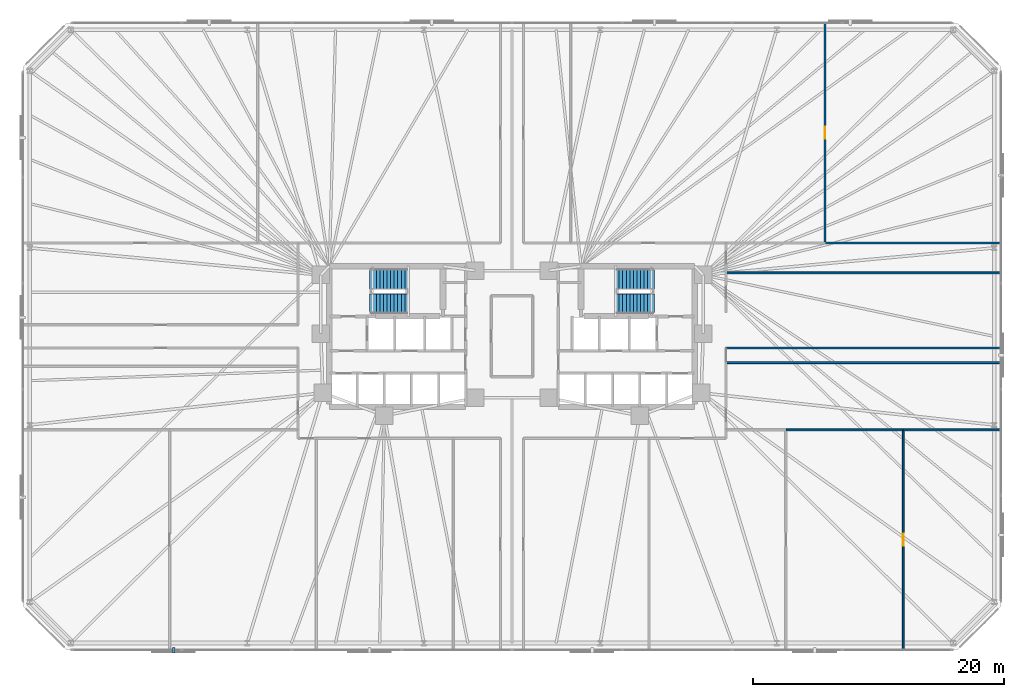
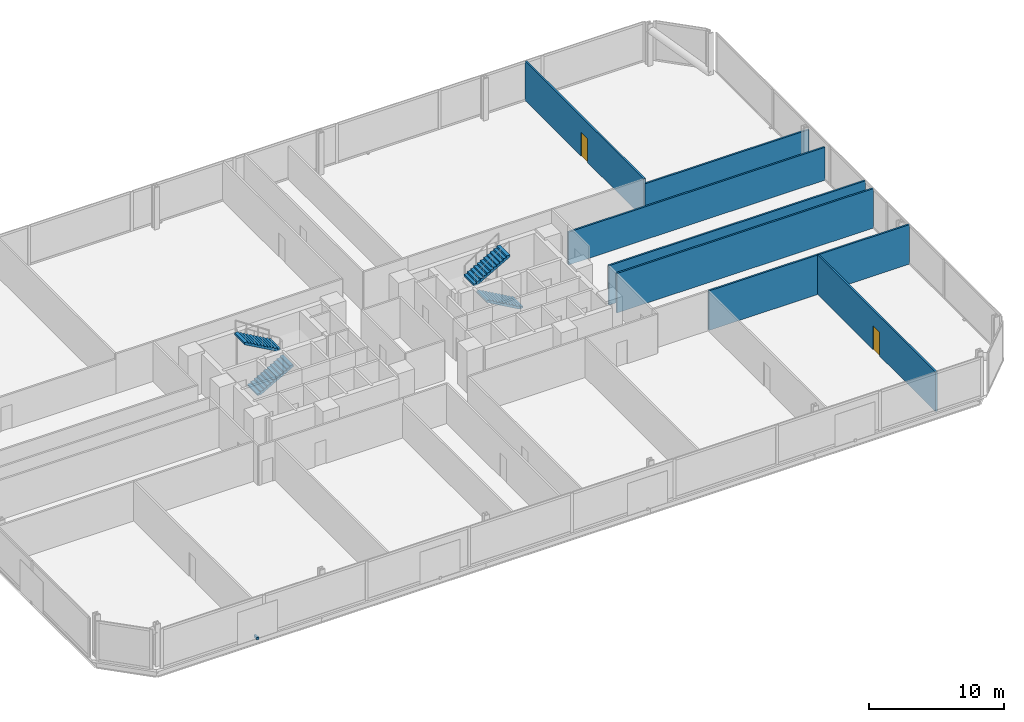
# One storey, part 15 of 17: 8 walls, 4 stair flights, 2 doors, 1 discrete accessory, 2 openings, 2 elements without a shape of their own.
"""IFC4 building model written with IfcOpenShell, lengths in metres."""

from ifc_helpers import new_model, si_unit, direction, frame, frame_2d, origin, origin_2d, place, context, subcontext, project, spatial, polyline, rectangle, outline, extrude, material, layer, layer_set, type_object, element, fill, aggregate, save


model = new_model("IFC4")

# Units and contexts
model_context = context("Model", 3, precision=1e-05, world=origin(), true_north=direction((0.0, 1.0)))
body_context = subcontext(model_context, "Body", "Model", "MODEL_VIEW")
ifc_project = project(units=[si_unit("LENGTHUNIT", "METRE"), si_unit("AREAUNIT", "SQUARE_METRE"), si_unit("VOLUMEUNIT", "CUBIC_METRE"), si_unit("PLANEANGLEUNIT", "RADIAN"), si_unit("MASSUNIT", "GRAM", prefix="KILO")], contexts=[model_context])

# Site, building, storey
site_placement = place(None, origin())
site = spatial("IfcSite", under=ifc_project, at=site_placement, CompositionType="ELEMENT")
building_placement = place(site_placement, origin())
building = spatial("IfcBuilding", under=site, at=building_placement, Name="Menara Jurai Vektor", CompositionType="ELEMENT")
storey_placement = place(building_placement, frame((0.0, 0.0, 29.39990234375)))
storey = spatial("IfcBuildingStorey", under=building, at=storey_placement, Name="L06", CompositionType="ELEMENT", Elevation=29.39990234375)

# Wall
ifc_material_1 = material(Name="Gypsum Fireboard Partition", Category="gypsum")
ifc_layer_1 = layer(ifc_material_1, 0.14990234375)
ifc_layer_set_1 = layer_set([ifc_layer_1], Name="Gypsum Fireboard Partition")
wall_type_1 = type_object("IfcWallType", Name="INT-WALL-CORR-150", PredefinedType="PARTITIONING", material=ifc_layer_set_1)
wall_1_placement = place(storey_placement, frame((17.05908203125, -0.919921875, 0.0), z_axis=(0.0, 0.0, 1.0), x_axis=(1.0, 0.0, 0.0)))
element("IfcWall", 1, at=wall_1_placement, inside=storey, type_object=wall_type_1, Name="Interior Wall IW-150 L06", PredefinedType="PARTITIONING", context=body_context, shape_type="SweptSolid", body=[
    extrude(rectangle(XDim=21.94091796875, YDim=0.14990234375, at=frame_2d((10.970458984375, 0.0))), origin(), (0.0, 0.0, 1.0), 3.5751953125),
])

# Wall, opening, door
wall_2_placement = place(storey_placement, frame((24.9599609375, 7.449951171875, 0.0), z_axis=(0.0, 0.0, 1.0), x_axis=(0.0, 1.0, 0.0)))
wall_2 = element("IfcWall", 2, at=wall_2_placement, inside=storey, type_object=wall_type_1, Name="Interior Wall IW-150 L06", PredefinedType="PARTITIONING", context=body_context, shape_type="SweptSolid", body=[
    extrude(rectangle(XDim=17.550048828125, YDim=0.14990234375, at=frame_2d((8.77490234375, 0.0))), origin(), (0.0, 0.0, 1.0), 3.5751953125),
])
opening_1_placement = place(wall_2_placement, frame((8.300048828125, 0.0, 0.0)))
opening_1 = element("IfcOpeningElement", 3, at=opening_1_placement, cuts=wall_2, Name="Opening D06-21", PredefinedType="OPENING", context=body_context, shape_type="SweptSolid", body=[
    extrude(rectangle(XDim=0.949951171875, YDim=2.14990234375, at=frame_2d((0.47509765625, 1.074951171875))), frame((0.0, 0.0849609375, 0.0), z_axis=(0.0, -1.0, 0.0), x_axis=(1.0, 0.0, 0.0)), (0.0, 0.0, 1.0), 0.169921875),
])
ifc_material_2 = material(Name="Solid Core Timber Fire Door", Category="wood")
door_type = type_object("IfcDoorType", Name="DR-ENTRY-950", OperationType="NOTDEFINED", PredefinedType="DOOR", material=ifc_material_2)
door_1_placement = place(opening_1_placement, origin())
door_1 = element("IfcDoor", 4, at=door_1_placement, inside=storey, type_object=door_type, Name="Interior Door D06-21", OperationType="SINGLE_SWING_RIGHT", OverallHeight=2.14990234375, OverallWidth=0.949951171875, PredefinedType="DOOR", context=body_context, shape_type="SweptSolid", body=[
    extrude(rectangle(XDim=0.949951171875, YDim=2.14990234375, at=frame_2d((0.47509765625, 1.074951171875))), frame((0.0, 0.02490234375, 0.0), z_axis=(0.0, -1.0, 0.0), x_axis=(1.0, 0.0, 0.0)), (0.0, 0.0, 1.0), 0.050048828125),
])
fill(opening_1, door_1)

wall_3_placement = place(storey_placement, frame((31.199951171875, -25.0, 0.0), z_axis=(0.0, 0.0, 1.0), x_axis=(0.0, 1.0, 0.0)))
wall_3 = element("IfcWall", 5, at=wall_3_placement, inside=storey, type_object=wall_type_1, Name="Interior Wall IW-150 L06", PredefinedType="PARTITIONING", context=body_context, shape_type="SweptSolid", body=[
    extrude(rectangle(XDim=17.550048828125, YDim=0.14990234375, at=frame_2d((8.77490234375, 0.0))), origin(), (0.0, 0.0, 1.0), 3.5751953125),
])
opening_2_placement = place(wall_3_placement, frame((8.300048828125, 0.0, 0.0)))
opening_2 = element("IfcOpeningElement", 6, at=opening_2_placement, cuts=wall_3, Name="Opening D06-24", PredefinedType="OPENING", context=body_context, shape_type="SweptSolid", body=[
    extrude(rectangle(XDim=0.949951171875, YDim=2.14990234375, at=frame_2d((0.47509765625, 1.074951171875))), frame((0.0, 0.0849609375, 0.0), z_axis=(0.0, -1.0, 0.0), x_axis=(1.0, 0.0, 0.0)), (0.0, 0.0, 1.0), 0.169921875),
])
door_2_placement = place(opening_2_placement, origin())
door_2 = element("IfcDoor", 7, at=door_2_placement, inside=storey, type_object=door_type, Name="Interior Door D06-24", OperationType="SINGLE_SWING_LEFT", OverallHeight=2.14990234375, OverallWidth=0.949951171875, PredefinedType="DOOR", context=body_context, shape_type="SweptSolid", body=[
    extrude(rectangle(XDim=0.949951171875, YDim=2.14990234375, at=frame_2d((0.47509765625, 1.074951171875))), frame((0.0, 0.02490234375, 0.0), z_axis=(0.0, -1.0, 0.0), x_axis=(1.0, 0.0, 0.0)), (0.0, 0.0, 1.0), 0.050048828125),
])
fill(opening_2, door_2)

# Walls
wall_4_placement = place(storey_placement, frame((21.840087890625, -7.449951171875, 0.0), z_axis=(0.0, 0.0, 1.0), x_axis=(1.0, 0.0, 0.0)))
element("IfcWall", 8, at=wall_4_placement, inside=storey, type_object=wall_type_1, Name="Interior Wall IW-150 L06", PredefinedType="PARTITIONING", context=body_context, shape_type="SweptSolid", body=[
    extrude(rectangle(XDim=9.35986328125, YDim=0.14990234375, at=frame_2d((4.679931640625, 0.0))), origin(), (0.0, 0.0, 1.0), 3.5751953125),
])
wall_5_placement = place(storey_placement, frame((31.199951171875, -7.449951171875, 0.0), z_axis=(0.0, 0.0, 1.0), x_axis=(1.0, 0.0, 0.0)))
element("IfcWall", 9, at=wall_5_placement, inside=storey, type_object=wall_type_1, Name="Interior Wall IW-150 L06", PredefinedType="PARTITIONING", context=body_context, shape_type="SweptSolid", body=[
    extrude(rectangle(XDim=7.800048828125, YDim=0.14990234375, at=frame_2d((3.89990234375, 0.0))), origin(), (0.0, 0.0, 1.0), 3.5751953125),
])
wall_6_placement = place(storey_placement, frame((17.05908203125, -2.0859375, 0.0), z_axis=(0.0, 0.0, 1.0), x_axis=(1.0, 0.0, 0.0)))
element("IfcWall", 10, at=wall_6_placement, inside=storey, type_object=wall_type_1, Name="Interior Wall IW-150 L06", PredefinedType="PARTITIONING", context=body_context, shape_type="SweptSolid", body=[
    extrude(rectangle(XDim=21.94091796875, YDim=0.14990234375, at=frame_2d((10.970458984375, 0.0))), origin(), (0.0, 0.0, 1.0), 3.5751953125),
])
ifc_layer_2 = layer(ifc_material_1, 0.14990234375)
ifc_layer_set_2 = layer_set([ifc_layer_2], Name="Gypsum Fireboard Partition")
wall_type_2 = type_object("IfcWallType", Name="INT-WALL-CORR-150-H1", PredefinedType="PARTITIONING", material=ifc_layer_set_2)
wall_7_placement = place(storey_placement, frame((24.9599609375, 7.449951171875, 0.0), z_axis=(0.0, 0.0, 1.0), x_axis=(1.0, 0.0, 0.0)))
element("IfcWall", 11, at=wall_7_placement, inside=storey, type_object=wall_type_2, Name="Interior Wall IW-150 L06", PredefinedType="PARTITIONING", context=body_context, shape_type="SweptSolid", body=[
    extrude(rectangle(XDim=14.0400390625, YDim=0.14990234375, at=frame_2d((7.02001953125, 0.0))), origin(), (0.0, 0.0, 1.0), 3.125),
])
ifc_layer_3 = layer(ifc_material_1, 0.14990234375)
ifc_layer_set_3 = layer_set([ifc_layer_3], Name="Gypsum Fireboard Partition")
wall_type_3 = type_object("IfcWallType", Name="INT-WALL-CORR-150-H2", PredefinedType="PARTITIONING", material=ifc_layer_set_3)
wall_8_placement = place(storey_placement, frame((17.05908203125, 5.06591796875, 0.0), z_axis=(0.0, 0.0, 1.0), x_axis=(1.0, 0.0, 0.0)))
element("IfcWall", 12, at=wall_8_placement, inside=storey, type_object=wall_type_3, Name="Interior Wall IW-150 L06", PredefinedType="PARTITIONING", context=body_context, shape_type="SweptSolid", body=[
    extrude(rectangle(XDim=21.94091796875, YDim=0.14990234375, at=frame_2d((10.970458984375, 0.0))), origin(), (0.0, 0.0, 1.0), 2.97509765625),
])

# Stair, stair flights
ifc_material_3 = material(Name="Concrete C40/50", Category="concrete")
stair_type = type_object("IfcStairType", Name="STAIR-DOGLEG-1500", PredefinedType="HALF_TURN_STAIR", material=ifc_material_3)
stair_1_placement = place(storey_placement, origin())
stair_1 = element("IfcStair", 13, at=stair_1_placement, inside=storey, type_object=stair_type, Name="Protected Exit Stair ST1 L06", PredefinedType="HALF_TURN_STAIR")
stair_flight_type = type_object("IfcStairFlightType", Name="STAIR-FLIGHT-1500", PredefinedType="STRAIGHT", material=ifc_material_3)
stair_flight_1_placement = place(storey_placement, frame((-11.35009765625, 2.64990234375, 0.0), z_axis=(0.0, 0.0, 1.0), x_axis=(1.0, 0.0, 0.0)))
stair_flight_1 = element("IfcStairFlight", 14, at=stair_flight_1_placement, type_object=stair_flight_type, Name="ST1 flight 1", NumberOfRisers=12, NumberOfTreads=11, PredefinedType="STRAIGHT", RiserHeight=0.158333, TreadLength=0.28, context=body_context, shape_type="SweptSolid", body=[
    extrude(outline(polyline([(0.0, 0.0), (0.0, 0.158447265625), (0.280029296875, 0.158447265625), (0.280029296875, 0.316650390625), (0.56005859375, 0.316650390625), (0.56005859375, 0.47509765625), (0.840087890625, 0.47509765625), (0.840087890625, 0.63330078125), (1.1201171875, 0.63330078125), (1.1201171875, 0.791748046875), (1.39990234375, 0.791748046875), (1.39990234375, 0.949951171875), (1.679931640625, 0.949951171875), (1.679931640625, 1.1083984375), (1.9599609375, 1.1083984375), (1.9599609375, 1.2666015625), (2.239990234375, 1.2666015625), (2.239990234375, 1.425048828125), (2.52001953125, 1.425048828125), (2.52001953125, 1.583251953125), (2.800048828125, 1.583251953125), (2.800048828125, 1.74169921875), (3.080078125, 1.74169921875), (3.080078125, 1.89990234375), (3.080078125, 1.557861328125), (0.324951171875, 0.0), (0.0, 0.0)])), frame((0.0, 0.75, 0.0), z_axis=(0.0, -1.0, 0.0), x_axis=(1.0, 0.0, 0.0)), (0.0, 0.0, 1.0), 1.5),
])
stair_flight_2_placement = place(storey_placement, frame((-8.27001953125, 4.550048828125, 1.900146484375), z_axis=(0.0, 0.0, 1.0), x_axis=(-1.0, 0.0, 0.0)))
stair_flight_2 = element("IfcStairFlight", 15, at=stair_flight_2_placement, type_object=stair_flight_type, Name="ST1 flight 2", NumberOfRisers=12, NumberOfTreads=11, PredefinedType="STRAIGHT", RiserHeight=0.158333, TreadLength=0.28, context=body_context, shape_type="SweptSolid", body=[
    extrude(outline(polyline([(0.0, 0.0), (0.0, 0.158447265625), (0.280029296875, 0.158447265625), (0.280029296875, 0.316650390625), (0.56005859375, 0.316650390625), (0.56005859375, 0.47509765625), (0.840087890625, 0.47509765625), (0.840087890625, 0.63330078125), (1.1201171875, 0.63330078125), (1.1201171875, 0.791748046875), (1.39990234375, 0.791748046875), (1.39990234375, 0.949951171875), (1.679931640625, 0.949951171875), (1.679931640625, 1.1083984375), (1.9599609375, 1.1083984375), (1.9599609375, 1.2666015625), (2.239990234375, 1.2666015625), (2.239990234375, 1.425048828125), (2.52001953125, 1.425048828125), (2.52001953125, 1.583251953125), (2.800048828125, 1.583251953125), (2.800048828125, 1.74169921875), (3.080078125, 1.74169921875), (3.080078125, 1.89990234375), (3.080078125, 1.557861328125), (0.324951171875, 0.0), (0.0, 0.0)])), frame((0.0, 0.75, 0.0), z_axis=(0.0, -1.0, 0.0), x_axis=(1.0, 0.0, 0.0)), (0.0, 0.0, 1.0), 1.5),
])
aggregate(stair_1, [stair_flight_1, stair_flight_2])

stair_2_placement = place(storey_placement, origin())
stair_2 = element("IfcStair", 16, at=stair_2_placement, inside=storey, type_object=stair_type, Name="Protected Exit Stair ST2 L06", PredefinedType="HALF_TURN_STAIR")
stair_flight_3_placement = place(storey_placement, frame((11.35009765625, 2.64990234375, 0.0), z_axis=(0.0, 0.0, 1.0), x_axis=(-1.0, 0.0, 0.0)))
stair_flight_3 = element("IfcStairFlight", 17, at=stair_flight_3_placement, type_object=stair_flight_type, Name="ST2 flight 1", NumberOfRisers=12, NumberOfTreads=11, PredefinedType="STRAIGHT", RiserHeight=0.158333, TreadLength=0.28, context=body_context, shape_type="SweptSolid", body=[
    extrude(outline(polyline([(0.0, 0.0), (0.0, 0.158447265625), (0.280029296875, 0.158447265625), (0.280029296875, 0.316650390625), (0.56005859375, 0.316650390625), (0.56005859375, 0.47509765625), (0.840087890625, 0.47509765625), (0.840087890625, 0.63330078125), (1.1201171875, 0.63330078125), (1.1201171875, 0.791748046875), (1.39990234375, 0.791748046875), (1.39990234375, 0.949951171875), (1.679931640625, 0.949951171875), (1.679931640625, 1.1083984375), (1.9599609375, 1.1083984375), (1.9599609375, 1.2666015625), (2.239990234375, 1.2666015625), (2.239990234375, 1.425048828125), (2.52001953125, 1.425048828125), (2.52001953125, 1.583251953125), (2.800048828125, 1.583251953125), (2.800048828125, 1.74169921875), (3.080078125, 1.74169921875), (3.080078125, 1.89990234375), (3.080078125, 1.557861328125), (0.324951171875, 0.0), (0.0, 0.0)])), frame((0.0, 0.75, 0.0), z_axis=(0.0, -1.0, 0.0), x_axis=(1.0, 0.0, 0.0)), (0.0, 0.0, 1.0), 1.5),
])
stair_flight_4_placement = place(storey_placement, frame((8.27001953125, 4.550048828125, 1.900146484375), z_axis=(0.0, 0.0, 1.0), x_axis=(1.0, 0.0, 0.0)))
stair_flight_4 = element("IfcStairFlight", 18, at=stair_flight_4_placement, type_object=stair_flight_type, Name="ST2 flight 2", NumberOfRisers=12, NumberOfTreads=11, PredefinedType="STRAIGHT", RiserHeight=0.158333, TreadLength=0.28, context=body_context, shape_type="SweptSolid", body=[
    extrude(outline(polyline([(0.0, 0.0), (0.0, 0.158447265625), (0.280029296875, 0.158447265625), (0.280029296875, 0.316650390625), (0.56005859375, 0.316650390625), (0.56005859375, 0.47509765625), (0.840087890625, 0.47509765625), (0.840087890625, 0.63330078125), (1.1201171875, 0.63330078125), (1.1201171875, 0.791748046875), (1.39990234375, 0.791748046875), (1.39990234375, 0.949951171875), (1.679931640625, 0.949951171875), (1.679931640625, 1.1083984375), (1.9599609375, 1.1083984375), (1.9599609375, 1.2666015625), (2.239990234375, 1.2666015625), (2.239990234375, 1.425048828125), (2.52001953125, 1.425048828125), (2.52001953125, 1.583251953125), (2.800048828125, 1.583251953125), (2.800048828125, 1.74169921875), (3.080078125, 1.74169921875), (3.080078125, 1.89990234375), (3.080078125, 1.557861328125), (0.324951171875, 0.0), (0.0, 0.0)])), frame((0.0, 0.75, 0.0), z_axis=(0.0, -1.0, 0.0), x_axis=(1.0, 0.0, 0.0)), (0.0, 0.0, 1.0), 1.5),
])
aggregate(stair_2, [stair_flight_3, stair_flight_4])

# Discrete accessory
ifc_material_4 = material(Name="Steel S355", Category="steel")
discrete_accessory_type = type_object("IfcDiscreteAccessoryType", Name="ENV-ACC-BRACKET", PredefinedType="BRACKET", material=ifc_material_4)
discrete_accessory_placement = place(storey_placement, frame((-26.97998046875, -25.010009765625, -0.1298828125), z_axis=(0.0, 0.0, 1.0), x_axis=(1.0, 0.0, 0.0)))
element("IfcDiscreteAccessory", 19, at=discrete_accessory_placement, inside=storey, type_object=discrete_accessory_type, Name="Solar Screen Stand-Off Bracket L06-S01", PredefinedType="BRACKET", context=body_context, shape_type="SweptSolid", body=[
    extrude(rectangle(XDim=0.179931640625, YDim=0.43994140625, at=origin_2d()), origin(), (0.0, 0.0, 1.0), 0.219970703125),
])

save(model, "model.ifc")
